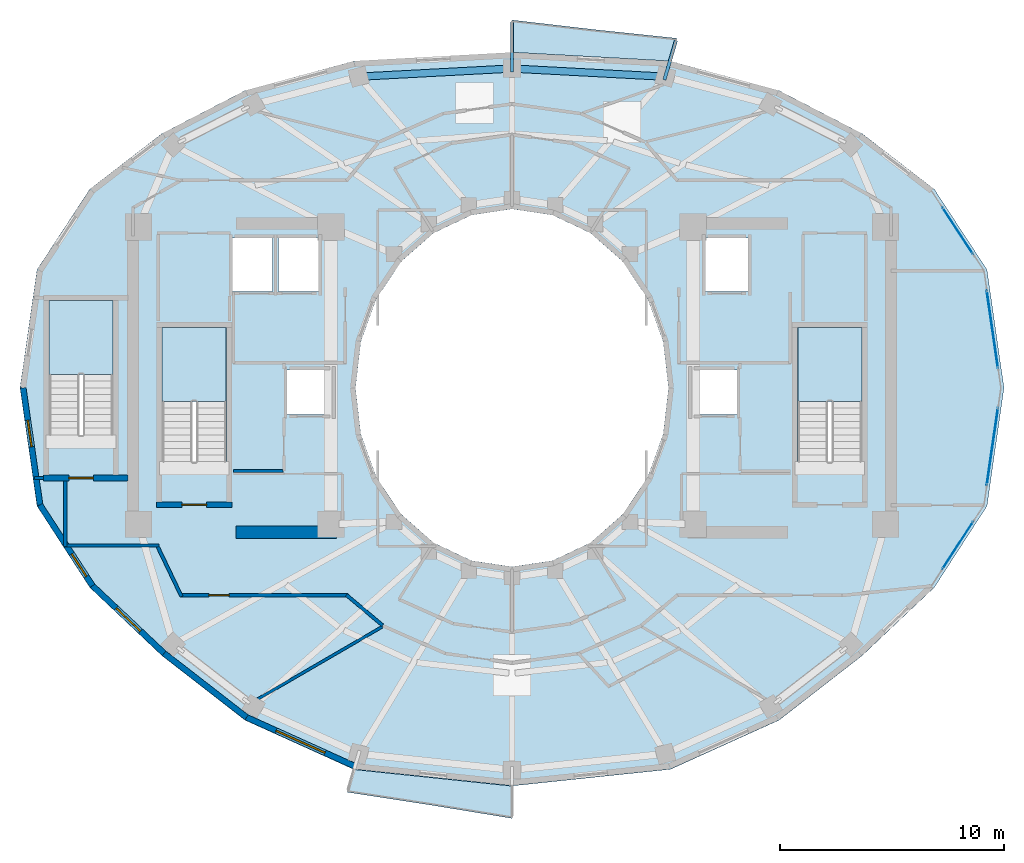
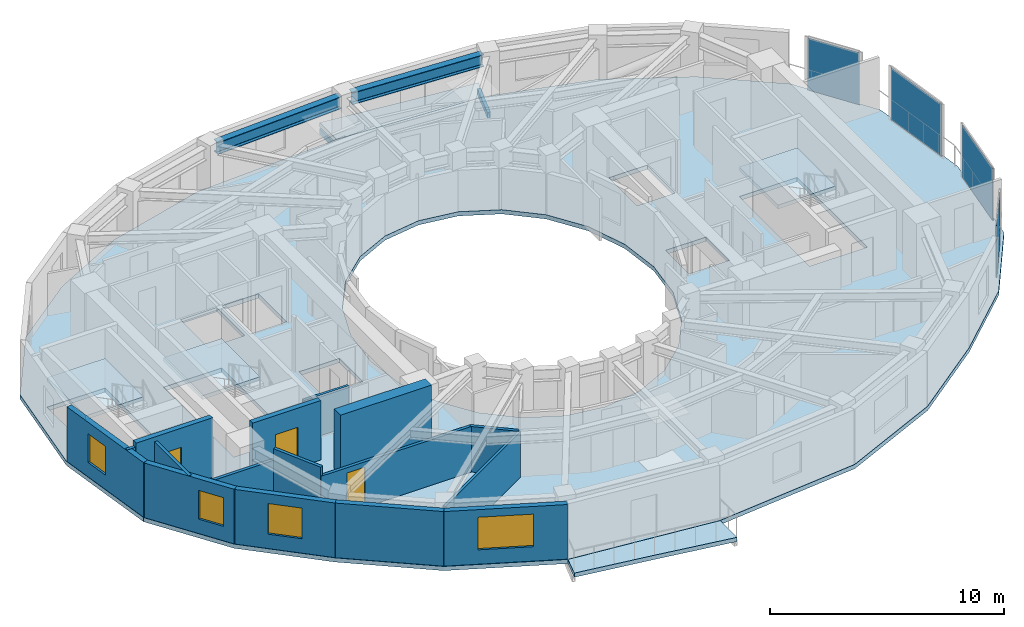
# One storey, part 5 of 12: 16 walls, 6 slabs, 4 beams, 4 plates, 4 windows, 3 doors, 7 openings, 7 elements without a shape of their own.
"""IFC4 building model written with IfcOpenShell, lengths in metres."""

from ifc_helpers import new_model, si_unit, direction, frame, frame_2d, origin, origin_2d, place, context, subcontext, project, spatial, polyline, rectangle, hollow_rectangle, i_section, outline, extrude, material, layer, layer_set, material_profile, profile_set, type_object, element, fill, aggregate, save


model = new_model("IFC4")

# Units and contexts
model_context = context("Model", 3, precision=1e-05, world=origin(), true_north=direction((0.0, 1.0)))
body_context = subcontext(model_context, "Body", "Model", "MODEL_VIEW")
ifc_project = project(units=[si_unit("LENGTHUNIT", "METRE"), si_unit("AREAUNIT", "SQUARE_METRE"), si_unit("VOLUMEUNIT", "CUBIC_METRE"), si_unit("PLANEANGLEUNIT", "RADIAN"), si_unit("MASSUNIT", "GRAM", prefix="KILO")], contexts=[model_context])

# Site, building, storey
site_placement = place(None, origin())
site = spatial("IfcSite", under=ifc_project, at=site_placement, CompositionType="ELEMENT")
building_placement = place(site_placement, origin())
building = spatial("IfcBuilding", under=site, at=building_placement, Name="Solvane Sanctuary Tower", CompositionType="ELEMENT")
storey_placement = place(building_placement, frame((0.0, 0.0, 214.0)))
storey = spatial("IfcBuildingStorey", under=building, at=storey_placement, Name="L65", CompositionType="ELEMENT", Elevation=214.0)

# Beams
ifc_material_1 = material(Name="Steel ASTM A500 Grade C", Category="steel")
ifc_material_profile_1 = material_profile(ifc_material_1, hollow_rectangle(XDim=0.14990234375, YDim=0.300048828125, WallThickness=0.010009765625, at=origin_2d()), Name="HSS300X150X10")
ifc_profile_set_1 = profile_set([ifc_material_profile_1], Name="Steel ASTM A500 Grade C")
beam_type_1 = type_object("IfcBeamType", Name="Beam B-BALC-BRK HSS300X150X10", PredefinedType="BEAM", material=ifc_profile_set_1)
beam_1_placement = place(storey_placement, frame((38.813720703125, 36.7705078125, -0.3720703125), z_axis=(0.282553761025, 0.959251464492, 0.0), x_axis=(-0.959251464492, 0.282553761025, 0.0)))
element("IfcBeam", 1, at=beam_1_placement, inside=storey, type_object=beam_type_1, Name="L65 Balcony Bracket NC-1", PredefinedType="BEAM", context=body_context, shape_type="SweptSolid", body=[
    extrude(hollow_rectangle(XDim=0.14990234375, YDim=0.300048828125, WallThickness=0.010009765625, at=origin_2d()), origin(), (0.0, 0.0, 1.0), 1.842041015625),
])
beam_2_placement = place(storey_placement, frame((32.0, 37.1298828125, -0.3720703125), z_axis=(0.0, 1.0, 0.0), x_axis=(-1.0, 0.0, 0.0)))
element("IfcBeam", 2, at=beam_2_placement, inside=storey, type_object=beam_type_1, Name="L65 Balcony Bracket NC-2", PredefinedType="BEAM", context=body_context, shape_type="SweptSolid", body=[
    extrude(hollow_rectangle(XDim=0.14990234375, YDim=0.300048828125, WallThickness=0.010009765625, at=origin_2d()), origin(), (0.0, 0.0, 1.0), 2.22021484375),
])
ifc_material_2 = material(Name="Steel ASTM A992 Grade 50", Category="steel")
ifc_material_profile_2 = material_profile(ifc_material_2, i_section(OverallWidth=0.327880859375, OverallDepth=0.6279296875, WebThickness=0.0166015625, FlangeThickness=0.027587890625, FilletRadius=0.01611328125, at=origin_2d()), Name="W24X146")
ifc_profile_set_2 = profile_set([ifc_material_profile_2], Name="Steel ASTM A992 Grade 50")
beam_type_2 = type_object("IfcBeamType", Name="Beam B-SPAND-Z3 W24X146", PredefinedType="SPANDREL", material=ifc_profile_set_2)
for number, where, z_axis, x_axis, name in (
    (3, (25.423583984375, 36.92919921875, 2.56396484375), (0.998579926022, 0.05327411516, 0.0), (-0.05327411516, 0.998579926022, 0.0), "L65 Perimeter Spandrel Beam TC05-TC04"),
    (4, (32.279541015625, 37.26513671875, 2.56396484375), (0.998579926022, -0.05327411516, 0.0), (0.05327411516, 0.998579926022, 0.0), "L65 Perimeter Spandrel Beam TC04-TC03"),
):
    element("IfcBeam", number, at=place(storey_placement, frame(where, z_axis=z_axis, x_axis=x_axis)), inside=storey, type_object=beam_type_2, Name=name, PredefinedType="SPANDREL", context=body_context, shape_type="SweptSolid", body=[
        extrude(i_section(OverallWidth=0.327880859375, OverallDepth=0.6279296875, WebThickness=0.0166015625, FlangeThickness=0.027587890625, FilletRadius=0.01611328125, at=origin_2d()), origin(), (0.0, 0.0, 1.0), 6.305908203125),
    ])

# Curtain wall, plate
ifc_material_3 = material(Name="Anodised Aluminium 6063-T6", Category="aluminium")
ifc_layer_1 = layer(ifc_material_3, 0.2099609375, Name="Anodised Aluminium 6063-T6")
ifc_layer_set_1 = layer_set([ifc_layer_1], Name="Anodised Aluminium 6063-T6")
curtain_wall_type = type_object("IfcCurtainWallType", Name="Curtain Wall CW-PORTAL", PredefinedType="NOTDEFINED", material=ifc_layer_set_1)
curtain_wall_1_placement = place(storey_placement, origin())
curtain_wall_1 = element("IfcCurtainWall", 5, at=curtain_wall_1_placement, inside=storey, type_object=curtain_wall_type, Name="L65 CW-PORTAL Facade Run 00", PredefinedType="NOTDEFINED")
ifc_material_4 = material(Name="Dark Ceramic-Fritted Low-E Glass", Category="glass")
ifc_layer_2 = layer(ifc_material_4, 0.031982421875, Name="Dark Ceramic-Fritted Low-E Glass")
ifc_layer_set_2 = layer_set([ifc_layer_2], Name="Dark Ceramic-Fritted Low-E Glass")
plate_type = type_object("IfcPlateType", Name="Plate PN-FRIT-VIS", PredefinedType="CURTAIN_PANEL", material=ifc_layer_set_2)
plate_1_placement = place(storey_placement, frame((53.482421875, 25.619384765625, 0.06494140625), z_axis=(0.0, 0.0, 1.0), x_axis=(-0.142705117998, 0.989765249591, 0.0)))
plate_1 = element("IfcPlate", 6, at=plate_1_placement, type_object=plate_type, Name="CW-PORTAL panel 1.1", PredefinedType="CURTAIN_PANEL", context=body_context, shape_type="SweptSolid", body=[
    extrude(rectangle(XDim=3.5029296875, YDim=0.031982421875, at=origin_2d()), origin(), (0.0, 0.0, 1.0), 2.7099609375),
])
aggregate(curtain_wall_1, [plate_1])

curtain_wall_2_placement = place(storey_placement, origin())
curtain_wall_2 = element("IfcCurtainWall", 7, at=curtain_wall_2_placement, inside=storey, type_object=curtain_wall_type, Name="L65 CW-PORTAL Facade Run 01", PredefinedType="NOTDEFINED")
plate_2_placement = place(storey_placement, frame((51.932861328125, 30.02392578125, 0.06494140625), z_axis=(0.0, 0.0, 1.0), x_axis=(-0.548791766298, 0.83595908826, 0.0)))
plate_2 = element("IfcPlate", 8, at=plate_2_placement, type_object=plate_type, Name="CW-PORTAL panel 1.1", PredefinedType="CURTAIN_PANEL", context=body_context, shape_type="SweptSolid", body=[
    extrude(rectangle(XDim=2.48095703125, YDim=0.031982421875, at=origin_2d()), origin(), (0.0, 0.0, 1.0), 2.7099609375),
])
aggregate(curtain_wall_2, [plate_2])

curtain_wall_3_placement = place(storey_placement, origin())
curtain_wall_3 = element("IfcCurtainWall", 9, at=curtain_wall_3_placement, inside=storey, type_object=curtain_wall_type, Name="L65 CW-PORTAL Facade Run 22", PredefinedType="NOTDEFINED")
plate_3_placement = place(storey_placement, frame((51.932861328125, 15.955810546875, 0.06494140625), z_axis=(0.0, 0.0, 1.0), x_axis=(0.54447378782, 0.838777857586, 0.0)))
plate_3 = element("IfcPlate", 10, at=plate_3_placement, type_object=plate_type, Name="CW-PORTAL panel 1.1", PredefinedType="CURTAIN_PANEL", context=body_context, shape_type="SweptSolid", body=[
    extrude(rectangle(XDim=2.5146484375, YDim=0.031982421875, at=origin_2d()), origin(), (0.0, 0.0, 1.0), 2.7099609375),
])
aggregate(curtain_wall_3, [plate_3])

curtain_wall_4_placement = place(storey_placement, origin())
curtain_wall_4 = element("IfcCurtainWall", 11, at=curtain_wall_4_placement, inside=storey, type_object=curtain_wall_type, Name="L65 CW-PORTAL Facade Run 23", PredefinedType="NOTDEFINED")
plate_4_placement = place(storey_placement, frame((53.482421875, 20.380615234375, 0.06494140625), z_axis=(0.0, 0.0, 1.0), x_axis=(0.142705117998, 0.989765249591, 0.0)))
plate_4 = element("IfcPlate", 12, at=plate_4_placement, type_object=plate_type, Name="CW-PORTAL panel 1.1", PredefinedType="CURTAIN_PANEL", context=body_context, shape_type="SweptSolid", body=[
    extrude(rectangle(XDim=3.5029296875, YDim=0.031982421875, at=origin_2d()), origin(), (0.0, 0.0, 1.0), 2.7099609375),
])
aggregate(curtain_wall_4, [plate_4])

# Slabs
ifc_material_5 = material(Name="Precast concrete C40/50", Category="concrete")
ifc_layer_3 = layer(ifc_material_5, 0.219970703125, Name="Precast concrete C40/50")
ifc_layer_set_3 = layer_set([ifc_layer_3], Name="Precast concrete C40/50")
slab_type_1 = type_object("IfcSlabType", Name="Slab SL-BALC-200", PredefinedType="FLOOR", material=ifc_layer_set_3)
slab_1_placement = place(storey_placement, frame((0.0, 0.0, -0.219970703125)))
element("IfcSlab", 13, at=slab_1_placement, inside=storey, type_object=slab_type_1, Name="L65 Wave Balcony Slab NC", PredefinedType="FLOOR", context=body_context, shape_type="SweptSolid", body=[
    extrude(outline(polyline([(39.362548828125, 38.633544921875), (35.703857421875, 39.019287109375), (32.0, 39.449951171875), (32.000244140625, 38.00390625), (39.08837890625, 37.61328125), (39.362548828125, 38.633544921875)])), origin(), (0.0, 0.0, 1.0), 0.219970703125),
])
slab_2_placement = place(storey_placement, frame((0.0, 0.0, -0.219970703125)))
element("IfcSlab", 14, at=slab_2_placement, inside=storey, type_object=slab_type_1, Name="L65 Wave Balcony Slab SC", PredefinedType="FLOOR", context=body_context, shape_type="SweptSolid", body=[
    extrude(outline(polyline([(24.637451171875, 4.91845703125), (28.296142578125, 4.356689453125), (32.0, 3.75), (31.99951171875, 5.196044921875), (24.91162109375, 5.938720703125), (24.637451171875, 4.91845703125)])), origin(), (0.0, 0.0, 1.0), 0.219970703125),
])

# Stair, slab
ifc_material_6 = material(Name="Concrete C45/55", Category="concrete")
stair_type = type_object("IfcStairType", Name="Stair ST-TOW", PredefinedType="HALF_TURN_STAIR", material=ifc_material_6)
stair_1_placement = place(storey_placement, origin())
stair_1 = element("IfcStair", 15, at=stair_1_placement, inside=storey, type_object=stair_type, Name="L65 Exit Stair ST-1 West Core", PredefinedType="HALF_TURN_STAIR")
ifc_layer_4 = layer(ifc_material_6, 0.199951171875, Name="Concrete C45/55")
ifc_layer_set_4 = layer_set([ifc_layer_4], Name="Concrete C45/55")
slab_type_2 = type_object("IfcSlabType", Name="Slab SL-LAND-180", PredefinedType="LANDING", material=ifc_layer_set_4)
slab_3_placement = place(storey_placement, frame((0.0, 0.0, 1.35009765625)))
slab_3 = element("IfcSlab", 16, at=slab_3_placement, type_object=slab_type_2, Name="ST-1 landing 1", PredefinedType="LANDING", context=body_context, shape_type="SweptSolid", body=[
    extrude(outline(polyline([(19.219970703125, 22.39990234375), (19.219970703125, 25.699951171875), (16.360107421875, 25.699951171875), (16.360107421875, 22.39990234375), (19.219970703125, 22.39990234375)])), origin(), (0.0, 0.0, 1.0), 0.199951171875),
])
aggregate(stair_1, [slab_3])

stair_2_placement = place(storey_placement, origin())
stair_2 = element("IfcStair", 17, at=stair_2_placement, inside=storey, type_object=stair_type, Name="L65 Exit Stair ST-2 East Core", PredefinedType="HALF_TURN_STAIR")
slab_4_placement = place(storey_placement, frame((0.0, 0.0, 1.35009765625)))
slab_4 = element("IfcSlab", 18, at=slab_4_placement, type_object=slab_type_2, Name="ST-2 landing 1", PredefinedType="LANDING", context=body_context, shape_type="SweptSolid", body=[
    extrude(outline(polyline([(47.639892578125, 22.39990234375), (47.639892578125, 25.699951171875), (44.780029296875, 25.699951171875), (44.780029296875, 22.39990234375), (47.639892578125, 22.39990234375)])), origin(), (0.0, 0.0, 1.0), 0.199951171875),
])
aggregate(stair_2, [slab_4])

stair_3_placement = place(storey_placement, origin())
stair_3 = element("IfcStair", 19, at=stair_3_placement, inside=storey, type_object=stair_type, Name="L65 Exit Stair ST-3 Pilgrim Tower Stair", PredefinedType="HALF_TURN_STAIR")
slab_5_placement = place(storey_placement, frame((0.0, 0.0, 1.35009765625)))
slab_5 = element("IfcSlab", 20, at=slab_5_placement, type_object=slab_type_2, Name="ST-3 landing 1", PredefinedType="LANDING", context=body_context, shape_type="SweptSolid", body=[
    extrude(outline(polyline([(14.159912109375, 23.60009765625), (14.159912109375, 26.89990234375), (11.300048828125, 26.89990234375), (11.300048828125, 23.60009765625), (14.159912109375, 23.60009765625)])), origin(), (0.0, 0.0, 1.0), 0.199951171875),
])
aggregate(stair_3, [slab_5])

# Slab
ifc_layer_5 = layer(ifc_material_6, 0.219970703125, Name="Concrete C45/55")
ifc_layer_set_5 = layer_set([ifc_layer_5], Name="Concrete C45/55")
slab_type_3 = type_object("IfcSlabType", Name="Slab SL-TOW-220", PredefinedType="FLOOR", material=ifc_layer_set_5)
slab_6_placement = place(storey_placement, frame((0.0, 0.0, -0.219970703125)))
element("IfcSlab", 21, at=slab_6_placement, inside=storey, type_object=slab_type_3, Name="L65 Primary Structural Slab", PredefinedType="FLOOR", context=body_context, shape_type="SweptSolid", body=[
    extrude(outline(polyline([(54.0, 23.0), (53.239990234375, 28.283935546875), (50.881103515625, 31.885009765625), (47.6572265625, 34.369384765625), (43.946044921875, 36.29052734375), (39.088134765625, 37.609375), (32.0, 38.0), (24.911865234375, 37.609375), (20.053955078125, 36.29052734375), (16.3427734375, 34.369384765625), (13.118896484375, 31.885009765625), (10.760009765625, 28.283935546875), (10.0, 23.0), (10.760009765625, 17.716064453125), (13.118896484375, 14.074462890625), (16.3427734375, 11.02587890625), (20.053955078125, 8.140625), (24.911865234375, 5.942626953125), (32.0, 5.199951171875), (39.088134765625, 5.942626953125), (43.946044921875, 8.140625), (47.6572265625, 11.02587890625), (50.881103515625, 14.074462890625), (53.239990234375, 17.716064453125), (54.0, 23.0)]), holes=[polyline([(38.761474609375, 20.929443359375), (38.062255859375, 19.0), (36.94970703125, 17.343017578125), (35.5, 16.07177734375), (33.811767578125, 15.272705078125), (32.0, 15.0), (30.188232421875, 15.272705078125), (28.5, 16.07177734375), (27.05029296875, 17.343017578125), (25.937744140625, 19.0), (25.238525390625, 20.929443359375), (25.0, 23.0), (25.238525390625, 25.070556640625), (25.937744140625, 27.0), (27.05029296875, 28.656982421875), (28.5, 29.92822265625), (30.188232421875, 30.727294921875), (32.0, 31.0), (33.811767578125, 30.727294921875), (35.5, 29.92822265625), (36.94970703125, 28.656982421875), (38.062255859375, 27.0), (38.761474609375, 25.070556640625), (39.0, 23.0), (38.761474609375, 20.929443359375)]), polyline([(16.360107421875, 19.699951171875), (16.360107421875, 25.699951171875), (19.219970703125, 25.699951171875), (19.219970703125, 19.699951171875), (16.360107421875, 19.699951171875)]), polyline([(44.780029296875, 19.699951171875), (44.780029296875, 25.699951171875), (47.639892578125, 25.699951171875), (47.639892578125, 19.699951171875), (44.780029296875, 19.699951171875)]), polyline([(11.300048828125, 20.89990234375), (11.300048828125, 26.89990234375), (14.159912109375, 26.89990234375), (14.159912109375, 20.89990234375), (11.300048828125, 20.89990234375)]), polyline([(21.949951171875, 23.800048828125), (23.949951171875, 23.800048828125), (23.949951171875, 21.800048828125), (21.949951171875, 21.800048828125), (21.949951171875, 23.800048828125)]), polyline([(40.050048828125, 23.800048828125), (42.050048828125, 23.800048828125), (42.050048828125, 21.800048828125), (40.050048828125, 21.800048828125), (40.050048828125, 23.800048828125)]), polyline([(19.5, 29.699951171875), (21.300048828125, 29.699951171875), (21.300048828125, 27.300048828125), (19.5, 27.300048828125), (19.5, 29.699951171875)]), polyline([(21.550048828125, 29.699951171875), (23.35009765625, 29.699951171875), (23.35009765625, 27.300048828125), (21.550048828125, 27.300048828125), (21.550048828125, 29.699951171875)]), polyline([(40.64990234375, 29.699951171875), (42.550048828125, 29.699951171875), (42.550048828125, 27.300048828125), (40.64990234375, 27.300048828125), (40.64990234375, 29.699951171875)])]), origin(), (0.0, 0.0, 1.0), 0.219970703125),
])

# Walls
ifc_material_7 = material(Name="Concrete C50/60", Category="concrete")
ifc_layer_6 = layer(ifc_material_7, 0.550048828125, Name="Concrete C50/60")
ifc_layer_set_6 = layer_set([ifc_layer_6], Name="Concrete C50/60")
wall_type_1 = type_object("IfcWallType", Name="Wall W-CORE-550", PredefinedType="SHEAR", material=ifc_layer_set_6)
wall_1_placement = place(storey_placement, frame((19.64990234375, 16.550048828125, 0.0), z_axis=(0.0, 0.0, 1.0), x_axis=(1.0, 0.0, 0.0)))
element("IfcWall", 22, at=wall_1_placement, inside=storey, type_object=wall_type_1, Name="L65 Core Shear Wall WC-S", PredefinedType="SHEAR", context=body_context, shape_type="SweptSolid", body=[
    extrude(rectangle(XDim=4.5, YDim=0.550048828125, at=frame_2d((2.25, 0.0))), origin(), (0.0, 0.0, 1.0), 3.10009765625),
])
ifc_material_8 = material(Name="Acoustic Gypsum Partition Board")
ifc_layer_7 = layer(ifc_material_8, 0.14990234375, Name="Acoustic Gypsum Partition Board")
ifc_layer_set_7 = layer_set([ifc_layer_7], Name="Acoustic Gypsum Partition Board")
wall_type_2 = type_object("IfcWallType", Name="Wall W-CORR-150", PredefinedType="PARTITIONING", material=ifc_layer_set_7)
wall_2_placement = place(storey_placement, frame((10.639892578125, 18.969970703125, 0.0), z_axis=(0.0, 0.0, 1.0), x_axis=(1.0, 0.0, 0.0)))
element("IfcWall", 23, at=wall_2_placement, inside=storey, type_object=wall_type_2, Name="L65 SW Corner Closer 1", PredefinedType="PARTITIONING", context=body_context, shape_type="SweptSolid", body=[
    extrude(rectangle(XDim=0.400146484375, YDim=0.14990234375, at=frame_2d((0.2001953125, 0.0))), origin(), (0.0, 0.0, 1.0), 2.85498046875),
])
wall_3_placement = place(storey_placement, frame((12.02001953125, 15.909912109375, 0.0), z_axis=(0.0, 0.0, 1.0), x_axis=(0.0, 1.0, 0.0)))
element("IfcWall", 24, at=wall_3_placement, inside=storey, type_object=wall_type_2, Name="L65 SW Corner Closer 2", PredefinedType="PARTITIONING", context=body_context, shape_type="SweptSolid", body=[
    extrude(rectangle(XDim=2.93017578125, YDim=0.14990234375, at=frame_2d((1.465087890625, 0.0))), origin(), (0.0, 0.0, 1.0), 2.85498046875),
])
wall_4_placement = place(storey_placement, frame((11.97998046875, 15.949951171875, 0.0), z_axis=(0.0, 0.0, 1.0), x_axis=(1.0, 0.0, 0.0)))
element("IfcWall", 25, at=wall_4_placement, inside=storey, type_object=wall_type_2, Name="L65 SW Corner Closer 3", PredefinedType="PARTITIONING", context=body_context, shape_type="SweptSolid", body=[
    extrude(rectangle(XDim=4.239990234375, YDim=0.14990234375, at=frame_2d((2.1201171875, 0.0))), origin(), (0.0, 0.0, 1.0), 2.219970703125),
])
wall_5_placement = place(storey_placement, frame((26.208984375, 12.385009765625, 0.0), z_axis=(0.0, 0.0, 1.0), x_axis=(-0.765677451641, 0.643224719711, 0.0)))
element("IfcWall", 26, at=wall_5_placement, inside=storey, type_object=wall_type_2, Name="L65 SW Corner Throat Wall", PredefinedType="PARTITIONING", context=body_context, shape_type="SweptSolid", body=[
    extrude(rectangle(XDim=2.10546875, YDim=0.14990234375, at=frame_2d((1.052734375, 0.0))), origin(), (0.0, 0.0, 1.0), 2.3759765625),
])

# Wall, opening, door
wall_6_placement = place(storey_placement, frame((17.14990234375, 13.719970703125, 0.0), z_axis=(0.0, 0.0, 1.0), x_axis=(1.0, 0.0, 0.0)))
wall_6 = element("IfcWall", 27, at=wall_6_placement, inside=storey, type_object=wall_type_2, Name="L65 SW Corner Corridor Wall", PredefinedType="PARTITIONING", context=body_context, shape_type="SweptSolid", body=[
    extrude(rectangle(XDim=7.52001953125, YDim=0.14990234375, at=frame_2d((3.760009765625, 0.0))), origin(), (0.0, 0.0, 1.0), 2.3759765625),
])
opening_1_placement = place(wall_6_placement, frame((1.300048828125, 0.0, 0.0)))
opening_1 = element("IfcOpeningElement", 28, at=opening_1_placement, cuts=wall_6, Name="Opening D-L65-22", PredefinedType="OPENING", context=body_context, shape_type="SweptSolid", body=[
    extrude(rectangle(XDim=0.89990234375, YDim=2.10009765625, at=frame_2d((0.449951171875, 1.050048828125))), frame((0.0, 0.0849609375, 0.0), z_axis=(0.0, -1.0, 0.0), x_axis=(1.0, 0.0, 0.0)), (0.0, 0.0, 1.0), 0.169921875),
])
ifc_material_9 = material(Name="Engineered Tropical Hardwood", Category="wood")
door_type_1 = type_object("IfcDoorType", Name="Door D-WET-900", OperationType="NOTDEFINED", PredefinedType="DOOR", material=ifc_material_9)
door_1_placement = place(opening_1_placement, origin())
door_1 = element("IfcDoor", 29, at=door_1_placement, inside=storey, type_object=door_type_1, Name="L65 SW Corner Salon Door", OperationType="SINGLE_SWING_RIGHT", OverallHeight=2.10009765625, OverallWidth=0.89990234375, PredefinedType="DOOR", context=body_context, shape_type="SweptSolid", body=[
    extrude(rectangle(XDim=0.89990234375, YDim=2.10009765625, at=frame_2d((0.449951171875, 1.050048828125))), frame((0.0, 0.02490234375, 0.0), z_axis=(0.0, -1.0, 0.0), x_axis=(1.0, 0.0, 0.0)), (0.0, 0.0, 1.0), 0.050048828125),
])
fill(opening_1, door_1)

# Wall
wall_7_placement = place(storey_placement, frame((17.2216796875, 13.6748046875, 0.0), z_axis=(0.0, 0.0, 1.0), x_axis=(-0.431973389813, 0.901886351207, 0.0)))
element("IfcWall", 30, at=wall_7_placement, inside=storey, type_object=wall_type_2, Name="L65 SW Corner Wing Wall", PredefinedType="PARTITIONING", context=body_context, shape_type="SweptSolid", body=[
    extrude(rectangle(XDim=2.45166015625, YDim=0.14990234375, at=frame_2d((1.225830078125, 0.0))), origin(), (0.0, 0.0, 1.0), 2.85498046875),
])

# Wall, opening, window
ifc_layer_8 = layer(ifc_material_5, 0.260009765625, Name="Precast concrete C40/50")
ifc_layer_set_8 = layer_set([ifc_layer_8], Name="Precast concrete C40/50")
wall_type_3 = type_object("IfcWallType", Name="Wall W-EXT-250", PredefinedType="STANDARD", material=ifc_layer_set_8)
wall_8_placement = place(storey_placement, frame((10.139892578125, 23.0, 0.0), z_axis=(0.0, 0.0, 1.0), x_axis=(0.142712754019, -0.989764148593, 0.0)))
wall_8 = element("IfcWall", 31, at=wall_8_placement, inside=storey, type_object=wall_type_3, Name="L65 Ceramic-Printed Facade Wall 12", PredefinedType="STANDARD", context=body_context, shape_type="SweptSolid", body=[
    extrude(rectangle(XDim=5.29296875, YDim=0.260009765625, at=frame_2d((2.646484375, 0.0))), origin(), (0.0, 0.0, 1.0), 2.85009765625),
])
opening_2_placement = place(wall_8_placement, frame((1.4580078125, 0.0, 0.75)))
opening_2 = element("IfcOpeningElement", 32, at=opening_2_placement, cuts=wall_8, Name="Opening WN-OPER-1200", PredefinedType="OPENING", context=body_context, shape_type="SweptSolid", body=[
    extrude(rectangle(XDim=1.199951171875, YDim=1.5, at=frame_2d((0.60009765625, 0.75))), frame((0.0, 0.139892578125, 0.0), z_axis=(0.0, -1.0, 0.0), x_axis=(1.0, 0.0, 0.0)), (0.0, 0.0, 1.0), 0.280029296875),
])
window_type_1 = type_object("IfcWindowType", Name="Window WN-OPER-1200", PartitioningType="SINGLE_PANEL", PredefinedType="WINDOW", material=ifc_material_4)
window_1_placement = place(opening_2_placement, origin())
window_1 = element("IfcWindow", 33, at=window_1_placement, inside=storey, type_object=window_type_1, Name="L65 Operable Facade Window 12", OverallHeight=1.5, OverallWidth=1.199951171875, PartitioningType="SINGLE_PANEL", PredefinedType="WINDOW", context=body_context, shape_type="SweptSolid", body=[
    extrude(rectangle(XDim=1.199951171875, YDim=1.5, at=frame_2d((0.60009765625, 0.75))), frame((0.0, 0.030029296875, 0.0), z_axis=(0.0, -1.0, 0.0), x_axis=(1.0, 0.0, 0.0)), (0.0, 0.0, 1.0), 0.06005859375),
])
fill(opening_2, window_1)

wall_9_placement = place(storey_placement, frame((10.895263671875, 17.76123046875, 0.0), z_axis=(0.0, 0.0, 1.0), x_axis=(0.544475908819, -0.838776480784, 0.0)))
wall_9 = element("IfcWall", 34, at=wall_9_placement, inside=storey, type_object=wall_type_3, Name="L65 Ceramic-Printed Facade Wall 13", PredefinedType="STANDARD", context=body_context, shape_type="SweptSolid", body=[
    extrude(rectangle(XDim=4.3046875, YDim=0.260009765625, at=frame_2d((2.15234375, 0.0))), origin(), (0.0, 0.0, 1.0), 2.85009765625),
])
opening_3_placement = place(wall_9_placement, frame((2.60693359375, 0.0, 0.75)))
opening_3 = element("IfcOpeningElement", 35, at=opening_3_placement, cuts=wall_9, Name="Opening WN-OPER-1200", PredefinedType="OPENING", context=body_context, shape_type="SweptSolid", body=[
    extrude(rectangle(XDim=1.199951171875, YDim=1.5, at=frame_2d((0.60009765625, 0.75))), frame((0.0, 0.139892578125, 0.0), z_axis=(0.0, -1.0, 0.0), x_axis=(1.0, 0.0, 0.0)), (0.0, 0.0, 1.0), 0.280029296875),
])
window_2_placement = place(opening_3_placement, origin())
window_2 = element("IfcWindow", 36, at=window_2_placement, inside=storey, type_object=window_type_1, Name="L65 Operable Facade Window 13", OverallHeight=1.5, OverallWidth=1.199951171875, PartitioningType="SINGLE_PANEL", PredefinedType="WINDOW", context=body_context, shape_type="SweptSolid", body=[
    extrude(rectangle(XDim=1.199951171875, YDim=1.5, at=frame_2d((0.60009765625, 0.75))), frame((0.0, 0.030029296875, 0.0), z_axis=(0.0, -1.0, 0.0), x_axis=(1.0, 0.0, 0.0)), (0.0, 0.0, 1.0), 0.06005859375),
])
fill(opening_3, window_2)

wall_10_placement = place(storey_placement, frame((13.239013671875, 14.150634765625, 0.0), z_axis=(0.0, 0.0, 1.0), x_axis=(0.72731899451, -0.686299555752, 0.0)))
wall_10 = element("IfcWall", 37, at=wall_10_placement, inside=storey, type_object=wall_type_3, Name="L65 Ceramic-Printed Facade Wall 14", PredefinedType="STANDARD", context=body_context, shape_type="SweptSolid", body=[
    extrude(rectangle(XDim=4.404296875, YDim=0.260009765625, at=frame_2d((2.2021484375, 0.0))), origin(), (0.0, 0.0, 1.0), 2.85009765625),
])
opening_4_placement = place(wall_10_placement, frame((1.4521484375, 0.0, 0.75)))
opening_4 = element("IfcOpeningElement", 38, at=opening_4_placement, cuts=wall_10, Name="Opening WN-OPER-1500", PredefinedType="OPENING", context=body_context, shape_type="SweptSolid", body=[
    extrude(rectangle(XDim=1.5, YDim=1.60009765625, at=frame_2d((0.75, 0.800048828125))), frame((0.0, 0.139892578125, 0.0), z_axis=(0.0, -1.0, 0.0), x_axis=(1.0, 0.0, 0.0)), (0.0, 0.0, 1.0), 0.280029296875),
])
window_type_2 = type_object("IfcWindowType", Name="Window WN-OPER-1500", PartitioningType="SINGLE_PANEL", PredefinedType="WINDOW", material=ifc_material_4)
window_3_placement = place(opening_4_placement, origin())
window_3 = element("IfcWindow", 39, at=window_3_placement, inside=storey, type_object=window_type_2, Name="L65 Operable Facade Window 14", OverallHeight=1.60009765625, OverallWidth=1.5, PartitioningType="SINGLE_PANEL", PredefinedType="WINDOW", context=body_context, shape_type="SweptSolid", body=[
    extrude(rectangle(XDim=1.5, YDim=1.60009765625, at=frame_2d((0.75, 0.800048828125))), frame((0.0, 0.030029296875, 0.0), z_axis=(0.0, -1.0, 0.0), x_axis=(1.0, 0.0, 0.0)), (0.0, 0.0, 1.0), 0.06005859375),
])
fill(opening_4, window_3)

# Wall
wall_11_placement = place(storey_placement, frame((16.4423828125, 11.1279296875, 0.0), z_axis=(0.0, 0.0, 1.0), x_axis=(0.790126214723, -0.612944177563, 0.0)))
element("IfcWall", 40, at=wall_11_placement, inside=storey, type_object=wall_type_3, Name="L65 Ceramic-Printed Facade Wall 15", PredefinedType="STANDARD", context=body_context, shape_type="SweptSolid", body=[
    extrude(rectangle(XDim=4.6669921875, YDim=0.260009765625, at=frame_2d((2.33349609375, 0.0))), origin(), (0.0, 0.0, 1.0), 2.85009765625),
])

# Wall, opening, window
wall_12_placement = place(storey_placement, frame((20.1298828125, 8.267333984375, 0.0), z_axis=(0.0, 0.0, 1.0), x_axis=(0.911427484938, -0.411460738952, 0.0)))
wall_12 = element("IfcWall", 41, at=wall_12_placement, inside=storey, type_object=wall_type_3, Name="L65 Ceramic-Printed Facade Wall 16", PredefinedType="STANDARD", context=body_context, shape_type="SweptSolid", body=[
    extrude(rectangle(XDim=5.296142578125, YDim=0.260009765625, at=frame_2d((2.64794921875, 0.0))), origin(), (0.0, 0.0, 1.0), 2.85009765625),
])
opening_5_placement = place(wall_12_placement, frame((1.447998046875, 0.0, 0.75)))
opening_5 = element("IfcOpeningElement", 42, at=opening_5_placement, cuts=wall_12, Name="Opening WN-RIB-2400", PredefinedType="OPENING", context=body_context, shape_type="SweptSolid", body=[
    extrude(rectangle(XDim=2.39990234375, YDim=1.699951171875, at=frame_2d((1.199951171875, 0.85009765625))), frame((0.0, 0.139892578125, 0.0), z_axis=(0.0, -1.0, 0.0), x_axis=(1.0, 0.0, 0.0)), (0.0, 0.0, 1.0), 0.280029296875),
])
window_type_3 = type_object("IfcWindowType", Name="Window WN-RIB-2400", PartitioningType="SINGLE_PANEL", PredefinedType="WINDOW", material=ifc_material_4)
window_4_placement = place(opening_5_placement, origin())
window_4 = element("IfcWindow", 43, at=window_4_placement, inside=storey, type_object=window_type_3, Name="L65 Operable Facade Window 16", OverallHeight=1.699951171875, OverallWidth=2.39990234375, PartitioningType="SINGLE_PANEL", PredefinedType="WINDOW", context=body_context, shape_type="SweptSolid", body=[
    extrude(rectangle(XDim=2.39990234375, YDim=1.699951171875, at=frame_2d((1.199951171875, 0.85009765625))), frame((0.0, 0.030029296875, 0.0), z_axis=(0.0, -1.0, 0.0), x_axis=(1.0, 0.0, 0.0)), (0.0, 0.0, 1.0), 0.06005859375),
])
fill(opening_5, window_4)

# Walls
ifc_layer_9 = layer(ifc_material_8, 0.125, Name="Acoustic Gypsum Partition Board")
ifc_layer_set_9 = layer_set([ifc_layer_9], Name="Acoustic Gypsum Partition Board")
wall_type_4 = type_object("IfcWallType", Name="Wall W-PART-125", PredefinedType="PARTITIONING", material=ifc_layer_set_9)
wall_13_placement = place(storey_placement, frame((19.550048828125, 19.280029296875, 0.0), z_axis=(0.0, 0.0, 1.0), x_axis=(1.0, 0.0, 0.0)))
element("IfcWall", 44, at=wall_13_placement, inside=storey, type_object=wall_type_4, Name="L65 Reclaimed Room Closer Wall PMW-1", PredefinedType="PARTITIONING", context=body_context, shape_type="SweptSolid", body=[
    extrude(rectangle(XDim=2.2099609375, YDim=0.125, at=frame_2d((1.10498046875, 0.0))), origin(), (0.0, 0.0, 1.0), 2.1201171875),
])
wall_14_placement = place(storey_placement, frame((26.203369140625, 12.322021484375, 0.0), z_axis=(0.0, 0.0, 1.0), x_axis=(-0.864712462127, -0.502267217567, 0.0)))
element("IfcWall", 45, at=wall_14_placement, inside=storey, type_object=wall_type_4, Name="L65 Radial Compartment Wall 240", PredefinedType="PARTITIONING", context=body_context, shape_type="SweptSolid", body=[
    extrude(rectangle(XDim=6.439453125, YDim=0.125, at=frame_2d((3.2197265625, 0.0))), origin(), (0.0, 0.0, 1.0), 2.3759765625),
])

# Wall, opening, door
ifc_layer_10 = layer(ifc_material_7, 0.25, Name="Concrete C50/60")
ifc_layer_set_10 = layer_set([ifc_layer_10], Name="Concrete C50/60")
wall_type_5 = type_object("IfcWallType", Name="Wall W-SHAFT-250", PredefinedType="SOLIDWALL", material=ifc_layer_set_10)
wall_15_placement = place(storey_placement, frame((16.10498046875, 17.77001953125, 0.0), z_axis=(0.0, 0.0, 1.0), x_axis=(1.0, 0.0, 0.0)))
wall_15 = element("IfcWall", 46, at=wall_15_placement, inside=storey, type_object=wall_type_5, Name="L65 ST-1 Load-Bearing Shaft Wall S", PredefinedType="SOLIDWALL", context=body_context, shape_type="SweptSolid", body=[
    extrude(rectangle(XDim=3.3701171875, YDim=0.25, at=frame_2d((1.68505859375, 0.0))), origin(), (0.0, 0.0, 1.0), 3.10009765625),
])
opening_6_placement = place(wall_15_placement, frame((1.135009765625, 0.0, 0.0)))
opening_6 = element("IfcOpeningElement", 47, at=opening_6_placement, cuts=wall_15, Name="Opening D-L65-03", PredefinedType="OPENING", context=body_context, shape_type="SweptSolid", body=[
    extrude(rectangle(XDim=1.10009765625, YDim=2.10009765625, at=frame_2d((0.550048828125, 1.050048828125))), frame((0.0, 0.135009765625, 0.0), z_axis=(0.0, -1.0, 0.0), x_axis=(1.0, 0.0, 0.0)), (0.0, 0.0, 1.0), 0.27001953125),
])
ifc_material_10 = material(Name="Architectural Stainless Steel 316", Category="steel")
door_type_2 = type_object("IfcDoorType", Name="Door D-STAIR", OperationType="NOTDEFINED", PredefinedType="DOOR", material=ifc_material_10)
door_2_placement = place(opening_6_placement, origin())
door_2 = element("IfcDoor", 48, at=door_2_placement, inside=storey, type_object=door_type_2, Name="L65 ST-1 Exit Stair Fire Door", OperationType="SINGLE_SWING_LEFT", OverallHeight=2.10009765625, OverallWidth=1.10009765625, PredefinedType="DOOR", context=body_context, shape_type="SweptSolid", body=[
    extrude(rectangle(XDim=1.10009765625, YDim=2.10009765625, at=frame_2d((0.550048828125, 1.050048828125))), frame((0.0, 0.02490234375, 0.0), z_axis=(0.0, -1.0, 0.0), x_axis=(1.0, 0.0, 0.0)), (0.0, 0.0, 1.0), 0.050048828125),
])
fill(opening_6, door_2)

wall_16_placement = place(storey_placement, frame((11.044921875, 18.969970703125, 0.0), z_axis=(0.0, 0.0, 1.0), x_axis=(1.0, 0.0, 0.0)))
wall_16 = element("IfcWall", 49, at=wall_16_placement, inside=storey, type_object=wall_type_5, Name="L65 ST-3 Load-Bearing Shaft Wall S", PredefinedType="SOLIDWALL", context=body_context, shape_type="SweptSolid", body=[
    extrude(rectangle(XDim=3.781982421875, YDim=0.25, at=frame_2d((1.89111328125, 0.0))), origin(), (0.0, 0.0, 1.0), 3.10009765625),
])
opening_7_placement = place(wall_16_placement, frame((1.135009765625, 0.0, 0.0)))
opening_7 = element("IfcOpeningElement", 50, at=opening_7_placement, cuts=wall_16, Name="Opening D-L65-05", PredefinedType="OPENING", context=body_context, shape_type="SweptSolid", body=[
    extrude(rectangle(XDim=1.10009765625, YDim=2.10009765625, at=frame_2d((0.550048828125, 1.050048828125))), frame((0.0, 0.135009765625, 0.0), z_axis=(0.0, -1.0, 0.0), x_axis=(1.0, 0.0, 0.0)), (0.0, 0.0, 1.0), 0.27001953125),
])
door_3_placement = place(opening_7_placement, origin())
door_3 = element("IfcDoor", 51, at=door_3_placement, inside=storey, type_object=door_type_2, Name="L65 ST-3 Exit Stair Fire Door", OperationType="SINGLE_SWING_LEFT", OverallHeight=2.10009765625, OverallWidth=1.10009765625, PredefinedType="DOOR", context=body_context, shape_type="SweptSolid", body=[
    extrude(rectangle(XDim=1.10009765625, YDim=2.10009765625, at=frame_2d((0.550048828125, 1.050048828125))), frame((0.0, 0.02490234375, 0.0), z_axis=(0.0, -1.0, 0.0), x_axis=(1.0, 0.0, 0.0)), (0.0, 0.0, 1.0), 0.050048828125),
])
fill(opening_7, door_3)

save(model, "model.ifc")
